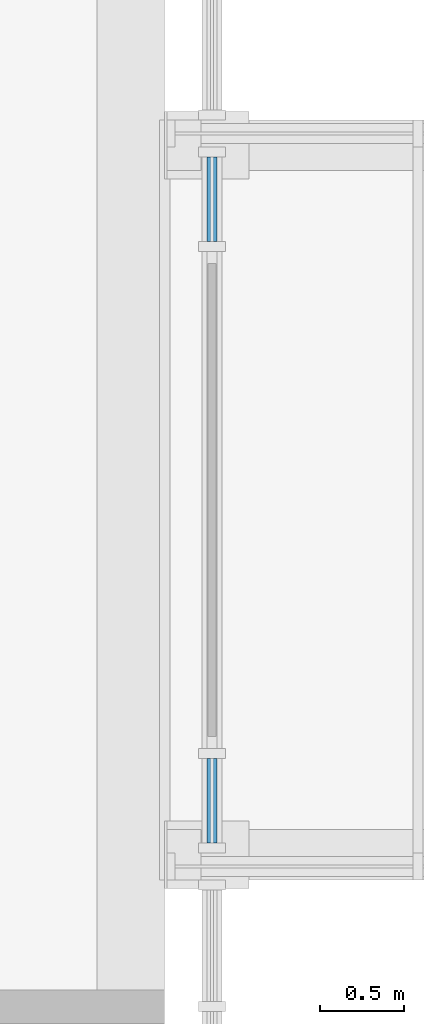
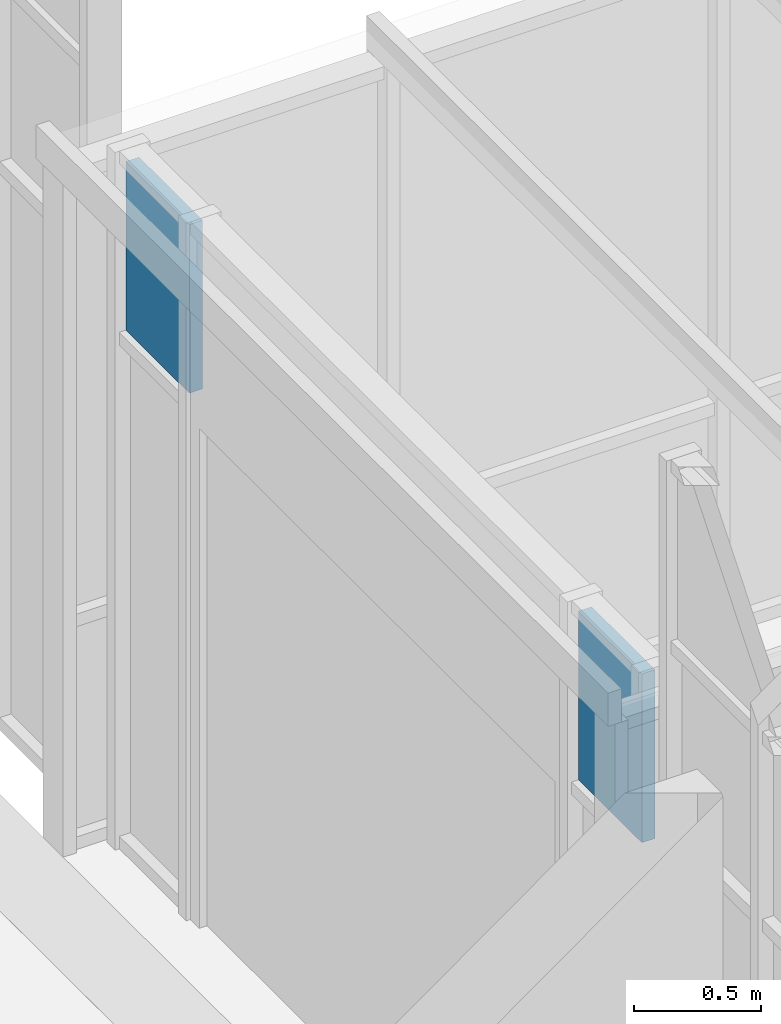
# One storey, part 56 of 88: 2 plates, 1 element without a shape of its own.
"""IFC4 building model written with IfcOpenShell, lengths in metres."""

from ifc_helpers import new_model, si_unit, direction, frame, origin, origin_2d, place, context, subcontext, project, spatial, rectangle, extrude, material, layer, layer_set, type_object, element, aggregate, save


model = new_model("IFC4")

# Units and contexts
model_context = context("Model", 3, precision=1e-05, world=origin(), true_north=direction((0.0, 1.0)))
body_context = subcontext(model_context, "Body", "Model", "MODEL_VIEW")
ifc_project = project(units=[si_unit("LENGTHUNIT", "METRE"), si_unit("AREAUNIT", "SQUARE_METRE"), si_unit("VOLUMEUNIT", "CUBIC_METRE"), si_unit("PLANEANGLEUNIT", "RADIAN"), si_unit("MASSUNIT", "GRAM", prefix="KILO")], contexts=[model_context])

# Site, building, storey
site_placement = place(None, origin())
site = spatial("IfcSite", under=ifc_project, at=site_placement, CompositionType="ELEMENT")
building_placement = place(site_placement, origin())
building = spatial("IfcBuilding", under=site, at=building_placement, Name="Guidao Yard Department Store", CompositionType="ELEMENT")
storey_placement = place(building_placement, frame((0.0, 0.0, 6.0)))
storey = spatial("IfcBuildingStorey", under=building, at=storey_placement, Name="L01", CompositionType="ELEMENT", Elevation=6.0)

# Curtain wall, plates
ifc_material_1 = material(Name="Aluminium and glass", Category="aluminium")
ifc_layer_1 = layer(ifc_material_1, 0.159912109375)
ifc_layer_set_1 = layer_set([ifc_layer_1], Name="Shopfront curtain wall CW1 1500 module")
curtain_wall_type = type_object("IfcCurtainWallType", Name="Shopfront curtain wall CW1 1500 module", PredefinedType="NOTDEFINED", material=ifc_layer_set_1)
curtain_wall_placement = place(storey_placement, origin())
curtain_wall = element("IfcCurtainWall", 1, at=curtain_wall_placement, inside=storey, type_object=curtain_wall_type, Name="Arcade shop front", PredefinedType="NOTDEFINED")
ifc_material_2 = material(Name="Aluminium 6063-T5 faced insulated spandrel", Category="aluminium")
ifc_layer_2 = layer(ifc_material_2, 0.06005859375)
ifc_layer_set_2 = layer_set([ifc_layer_2], Name="Spandrel panel SP1 insulated opaque")
plate_type = type_object("IfcPlateType", Name="Spandrel panel SP1 insulated opaque", PredefinedType="CURTAIN_PANEL", material=ifc_layer_set_2)
plate_1_placement = place(storey_placement, frame((108.280029296875, 83.719970703125, 2.47998046875), z_axis=(0.0, 0.0, 1.0), x_axis=(0.0, -1.0, 0.0)))
plate_1 = element("IfcPlate", 2, at=plate_1_placement, type_object=plate_type, Name="CW-AS-L01-19 panel 1.2", PredefinedType="CURTAIN_PANEL", context=body_context, shape_type="SweptSolid", body=[
    extrude(rectangle(XDim=0.5, YDim=0.06005859375, at=origin_2d()), origin(), (0.0, 0.0, 1.0), 0.81005859375),
])
plate_2_placement = place(storey_placement, frame((108.280029296875, 87.280029296875, 2.47998046875), z_axis=(0.0, 0.0, 1.0), x_axis=(0.0, -1.0, 0.0)))
plate_2 = element("IfcPlate", 3, at=plate_2_placement, type_object=plate_type, Name="CW-AS-L01-19 panel 3.2", PredefinedType="CURTAIN_PANEL", context=body_context, shape_type="SweptSolid", body=[
    extrude(rectangle(XDim=0.5, YDim=0.06005859375, at=origin_2d()), origin(), (0.0, 0.0, 1.0), 0.81005859375),
])
aggregate(curtain_wall, [plate_1, plate_2])

save(model, "model.ifc")
